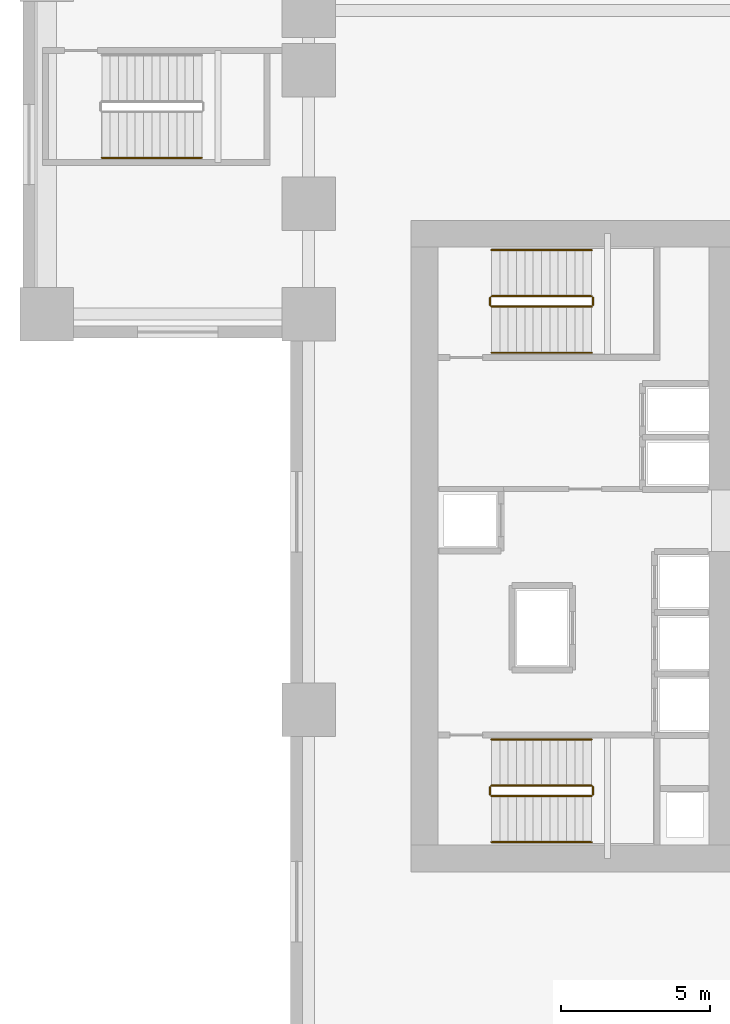
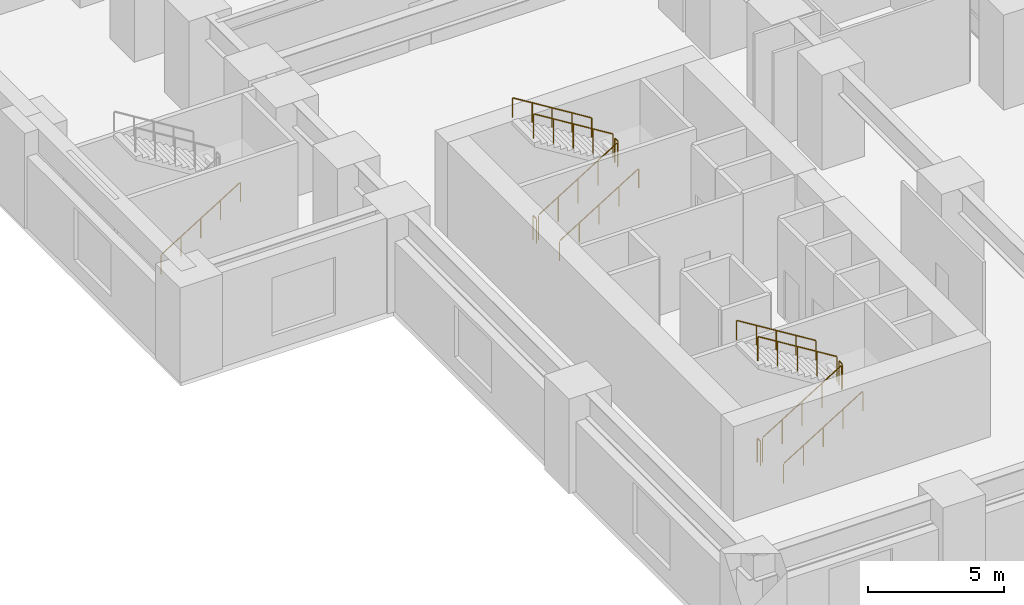
# One storey, part 11 of 13: 13 railings.
"""IFC4 building model written with IfcOpenShell, lengths in metres."""

from ifc_helpers import new_model, si_unit, direction, frame, origin, origin_2d, place, context, subcontext, project, spatial, circle, extrude, source, transform, mapped, material, layer, layer_set, type_object, element, save


model = new_model("IFC4")

# Units and contexts
model_context = context("Model", 3, precision=1e-05, world=origin(), true_north=direction((0.0, 1.0)))
body_context = subcontext(model_context, "Body", "Model", "MODEL_VIEW")
ifc_project = project(units=[si_unit("LENGTHUNIT", "METRE"), si_unit("AREAUNIT", "SQUARE_METRE"), si_unit("VOLUMEUNIT", "CUBIC_METRE"), si_unit("PLANEANGLEUNIT", "RADIAN"), si_unit("MASSUNIT", "GRAM", prefix="KILO")], contexts=[model_context])

# Site, building, storey
site_placement = place(None, origin())
site = spatial("IfcSite", under=ifc_project, at=site_placement, CompositionType="ELEMENT")
building_placement = place(site_placement, origin())
building = spatial("IfcBuilding", under=site, at=building_placement, Name="Kharzan Plaza Tower", CompositionType="ELEMENT")
storey_placement = place(building_placement, frame((0.0, 0.0, 4.5)))
storey = spatial("IfcBuildingStorey", under=building, at=storey_placement, Name="L01", CompositionType="ELEMENT", Elevation=4.5)

# Railings
ifc_material_1 = material(Name="Painted Galvanized Architectural Steel", Category="steel")
ifc_layer_1 = layer(ifc_material_1, 0.074951171875)
ifc_layer_set_1 = layer_set([ifc_layer_1], Name="Painted Galvanized Architectural Steel")
railing_type_1 = type_object("IfcRailingType", Name="RL-GUARD-1120", PredefinedType="BALUSTRADE", material=ifc_layer_set_1)
shared_shape_1 = source(origin(), body_context, "Body", "SweptSolid", [
    extrude(circle(Radius=0.02392578125, at=origin_2d()), frame((0.0224609375, 0.0, 1.10986328125), z_axis=(0.850623216509, 0.0, 0.525775754039), x_axis=(0.0, 1.0, 0.0)), (0.0, 0.0, 1.0), 3.897216796875),
    extrude(circle(Radius=0.02099609375, at=origin_2d()), origin(), (0.0, 0.0, 1.0), 1.072021484375),
    extrude(circle(Radius=0.02099609375, at=origin_2d()), frame((0.840087890625, 0.0, 0.519287109375)), (0.0, 0.0, 1.0), 1.072021484375),
    extrude(circle(Radius=0.02099609375, at=origin_2d()), frame((1.68017578125, 0.0, 1.03857421875)), (0.0, 0.0, 1.0), 1.072021484375),
    extrude(circle(Radius=0.02099609375, at=origin_2d()), frame((2.52001953125, 0.0, 1.5576171875)), (0.0, 0.0, 1.0), 1.072021484375),
    extrude(circle(Radius=0.02099609375, at=origin_2d()), frame((3.360107421875, 0.0, 2.076904296875)), (0.0, 0.0, 1.0), 1.072021484375),
])
for number, where, name in (
    (1, (6.75, 10.60009765625, 0.173095703125), "L01 ST-1 stair guard 1"),
    (2, (6.75, 27.050048828125, 0.173095703125), "L01 ST-2 stair guard 1"),
):
    element("IfcRailing", number, at=place(storey_placement, frame(where)), inside=storey, type_object=railing_type_1, Name=name, PredefinedType="BALUSTRADE", context=body_context, shape_type="MappedRepresentation", body=[
        mapped(shared_shape_1, transform((0.0, 0.0, 0.0), x_axis=(1.0, 0.0, 0.0), y_axis=(0.0, 1.0, 0.0), z_axis=(0.0, 0.0, 1.0))),
    ])
shared_shape_2 = source(origin(), body_context, "Body", "SweptSolid", [
    extrude(circle(Radius=0.02392578125, at=origin_2d()), frame((0.0, 0.0263671875, 1.09619140625), z_axis=(0.0, 1.0, 0.0), x_axis=(-1.0, 0.0, 0.0)), (0.0, 0.0, 1.0), 0.197021484375),
    extrude(circle(Radius=0.02099609375, at=origin_2d()), origin(), (0.0, 0.0, 1.0), 1.072021484375),
    extrude(circle(Radius=0.02099609375, at=origin_2d()), frame((0.0, 0.25, 0.0)), (0.0, 0.0, 1.0), 1.072021484375),
])
for number, where, name in (
    (3, (10.159912109375, 10.64990234375, 2.25), "L01 ST-1 stair guard 2"),
    (4, (6.699951171875, 10.64990234375, 0.0), "L01 ST-1 stair guard 4"),
    (5, (10.159912109375, 27.10009765625, 2.25), "L01 ST-2 stair guard 2"),
    (6, (6.699951171875, 27.10009765625, 0.0), "L01 ST-2 stair guard 4"),
):
    element("IfcRailing", number, at=place(storey_placement, frame(where)), inside=storey, type_object=railing_type_1, Name=name, PredefinedType="BALUSTRADE", context=body_context, shape_type="MappedRepresentation", body=[
        mapped(shared_shape_2, transform((0.0, 0.0, 0.0), x_axis=(1.0, 0.0, 0.0), y_axis=(0.0, 1.0, 0.0), z_axis=(0.0, 0.0, 1.0))),
    ])
shared_shape_3 = source(origin(), body_context, "Body", "SweptSolid", [
    extrude(circle(Radius=0.02392578125, at=origin_2d()), frame((-0.0224609375, 0.0, 1.10986328125), z_axis=(-0.850623216509, 0.0, 0.525775754039), x_axis=(0.0, -1.0, 0.0)), (0.0, 0.0, 1.0), 3.897216796875),
    extrude(circle(Radius=0.02099609375, at=origin_2d()), origin(), (0.0, 0.0, 1.0), 1.072021484375),
    extrude(circle(Radius=0.02099609375, at=origin_2d()), frame((-0.840087890625, 0.0, 0.519287109375)), (0.0, 0.0, 1.0), 1.072021484375),
    extrude(circle(Radius=0.02099609375, at=origin_2d()), frame((-1.68017578125, 0.0, 1.03857421875)), (0.0, 0.0, 1.0), 1.072021484375),
    extrude(circle(Radius=0.02099609375, at=origin_2d()), frame((-2.52001953125, 0.0, 1.5576171875)), (0.0, 0.0, 1.0), 1.072021484375),
    extrude(circle(Radius=0.02099609375, at=origin_2d()), frame((-3.360107421875, 0.0, 2.076904296875)), (0.0, 0.0, 1.0), 1.072021484375),
])
for number, where, name in (
    (7, (10.110107421875, 10.949951171875, 2.423095703125), "L01 ST-1 stair guard 3"),
    (8, (10.110107421875, 27.39990234375, 2.423095703125), "L01 ST-2 stair guard 3"),
):
    element("IfcRailing", number, at=place(storey_placement, frame(where)), inside=storey, type_object=railing_type_1, Name=name, PredefinedType="BALUSTRADE", context=body_context, shape_type="MappedRepresentation", body=[
        mapped(shared_shape_3, transform((0.0, 0.0, 0.0), x_axis=(1.0, 0.0, 0.0), y_axis=(0.0, 1.0, 0.0), z_axis=(0.0, 0.0, 1.0))),
    ])
ifc_material_2 = material(Name="Brushed Stainless Steel", Category="steel")
ifc_layer_2 = layer(ifc_material_2, 0.050048828125)
ifc_layer_set_2 = layer_set([ifc_layer_2], Name="Brushed Stainless Steel")
railing_type_2 = type_object("IfcRailingType", Name="RL-STAIR-HR920", PredefinedType="HANDRAIL", material=ifc_layer_set_2)
shared_shape_4 = source(origin(), body_context, "Body", "SweptSolid", [
    extrude(circle(Radius=0.02392578125, at=origin_2d()), frame((0.0224609375, 0.0, 0.8896484375), z_axis=(0.850623216509, 0.0, 0.525775754039), x_axis=(0.0, 1.0, 0.0)), (0.0, 0.0, 1.0), 3.897216796875),
    extrude(circle(Radius=0.02099609375, at=origin_2d()), origin(), (0.0, 0.0, 1.0), 0.851806640625),
    extrude(circle(Radius=0.02099609375, at=origin_2d()), frame((0.840087890625, 0.0, 0.519287109375)), (0.0, 0.0, 1.0), 0.851806640625),
    extrude(circle(Radius=0.02099609375, at=origin_2d()), frame((1.68017578125, 0.0, 1.03857421875)), (0.0, 0.0, 1.0), 0.851806640625),
    extrude(circle(Radius=0.02099609375, at=origin_2d()), frame((2.52001953125, 0.0, 1.5576171875)), (0.0, 0.0, 1.0), 0.851806640625),
    extrude(circle(Radius=0.02099609375, at=origin_2d()), frame((3.360107421875, 0.0, 2.076904296875)), (0.0, 0.0, 1.0), 0.851806640625),
])
for number, where, name in (
    (9, (6.75, 9.050048828125, 0.173095703125), "L01 ST-1 stair handrail 1"),
    (10, (6.75, 25.5, 0.173095703125), "L01 ST-2 stair handrail 1"),
    (11, (-6.35009765625, 32.050048828125, 0.173095703125), "L01 ST-4 stair handrail 1"),
):
    element("IfcRailing", number, at=place(storey_placement, frame(where)), inside=storey, type_object=railing_type_2, Name=name, PredefinedType="HANDRAIL", context=body_context, shape_type="MappedRepresentation", body=[
        mapped(shared_shape_4, transform((0.0, 0.0, 0.0), x_axis=(1.0, 0.0, 0.0), y_axis=(0.0, 1.0, 0.0), z_axis=(0.0, 0.0, 1.0))),
    ])
shared_shape_5 = source(origin(), body_context, "Body", "SweptSolid", [
    extrude(circle(Radius=0.02392578125, at=origin_2d()), frame((-0.0224609375, 0.0, 0.8896484375), z_axis=(-0.850623216509, 0.0, 0.525775754039), x_axis=(0.0, -1.0, 0.0)), (0.0, 0.0, 1.0), 3.897216796875),
    extrude(circle(Radius=0.02099609375, at=origin_2d()), origin(), (0.0, 0.0, 1.0), 0.851806640625),
    extrude(circle(Radius=0.02099609375, at=origin_2d()), frame((-0.840087890625, 0.0, 0.519287109375)), (0.0, 0.0, 1.0), 0.851806640625),
    extrude(circle(Radius=0.02099609375, at=origin_2d()), frame((-1.68017578125, 0.0, 1.03857421875)), (0.0, 0.0, 1.0), 0.851806640625),
    extrude(circle(Radius=0.02099609375, at=origin_2d()), frame((-2.52001953125, 0.0, 1.5576171875)), (0.0, 0.0, 1.0), 0.851806640625),
    extrude(circle(Radius=0.02099609375, at=origin_2d()), frame((-3.360107421875, 0.0, 2.076904296875)), (0.0, 0.0, 1.0), 0.851806640625),
])
for number, where, name in (
    (12, (10.110107421875, 12.5, 2.423095703125), "L01 ST-1 stair handrail 2"),
    (13, (10.110107421875, 28.949951171875, 2.423095703125), "L01 ST-2 stair handrail 2"),
):
    element("IfcRailing", number, at=place(storey_placement, frame(where)), inside=storey, type_object=railing_type_2, Name=name, PredefinedType="HANDRAIL", context=body_context, shape_type="MappedRepresentation", body=[
        mapped(shared_shape_5, transform((0.0, 0.0, 0.0), x_axis=(1.0, 0.0, 0.0), y_axis=(0.0, 1.0, 0.0), z_axis=(0.0, 0.0, 1.0))),
    ])

save(model, "model.ifc")
